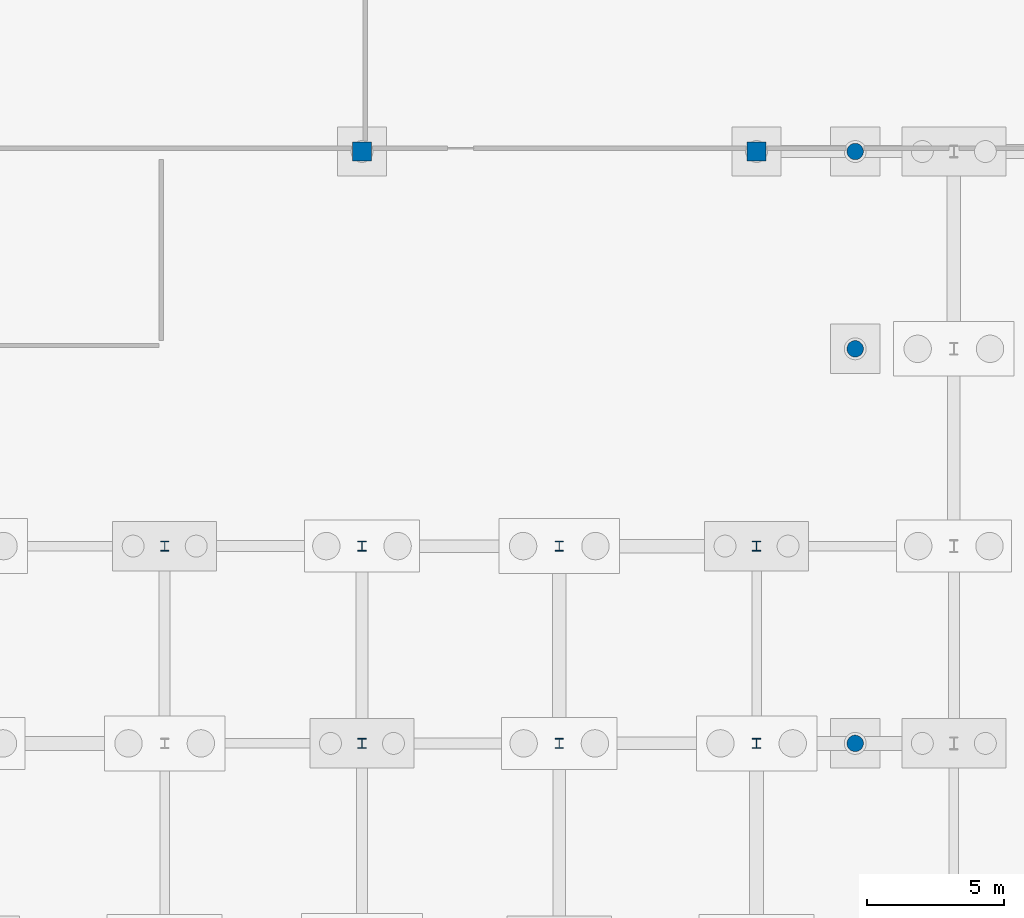
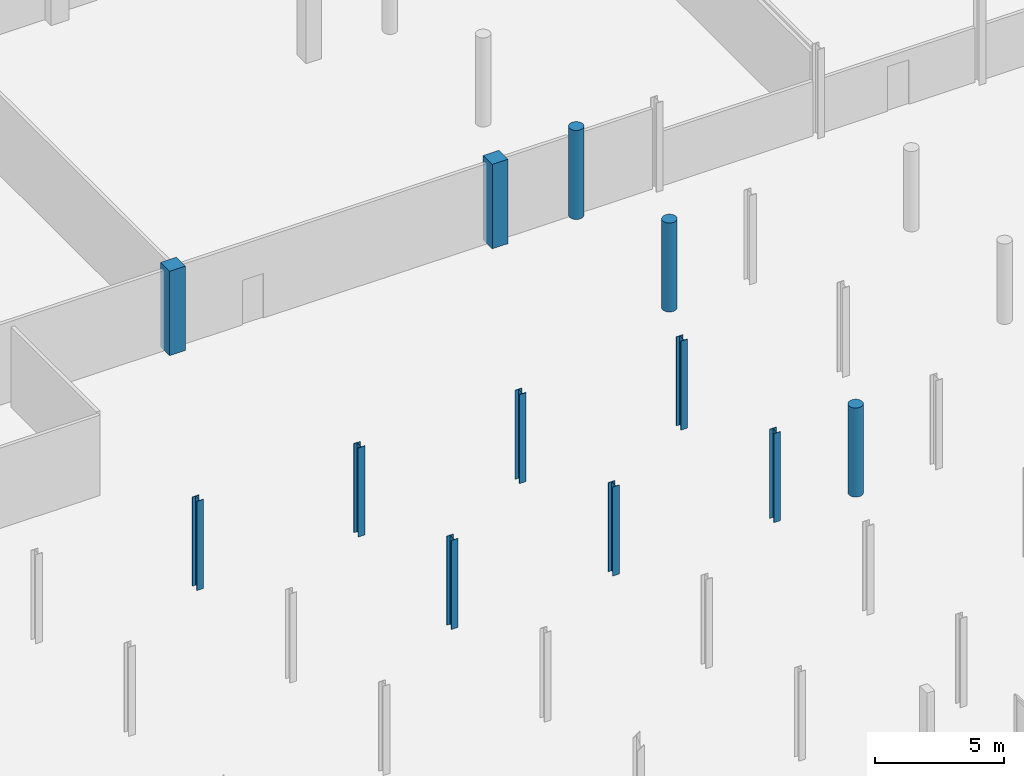
# One storey, part 26 of 56: 12 columns.
"""IFC4 building model written with IfcOpenShell, lengths in metres."""

from ifc_helpers import new_model, si_unit, direction, frame, origin, origin_2d, place, context, subcontext, project, spatial, rectangle, circle, i_section, extrude, material, material_profile, profile_set, type_object, element, save


model = new_model("IFC4")

# Units and contexts
model_context = context("Model", 3, precision=1e-05, world=origin(), true_north=direction((0.0, 1.0)))
body_context = subcontext(model_context, "Body", "Model", "MODEL_VIEW")
ifc_project = project(units=[si_unit("LENGTHUNIT", "METRE"), si_unit("AREAUNIT", "SQUARE_METRE"), si_unit("VOLUMEUNIT", "CUBIC_METRE"), si_unit("PLANEANGLEUNIT", "RADIAN"), si_unit("MASSUNIT", "GRAM", prefix="KILO")], contexts=[model_context])

# Site, building, storey
site_placement = place(None, origin())
site = spatial("IfcSite", under=ifc_project, at=site_placement, CompositionType="ELEMENT")
building_placement = place(site_placement, origin())
building = spatial("IfcBuilding", under=site, at=building_placement, Name="Suanplinth Sawtooth Commons", CompositionType="ELEMENT")
storey_placement = place(building_placement, frame((0.0, 0.0, -4.199951171875)))
storey = spatial("IfcBuildingStorey", under=building, at=storey_placement, Name="B1", CompositionType="ELEMENT", Elevation=-4.199951171875)

# Columns
ifc_material_1 = material(Name="Concrete C40/50", Category="concrete")
ifc_material_profile_1 = material_profile(ifc_material_1, rectangle(XDim=0.699951171875, YDim=0.699951171875, at=origin_2d()), Name="RC-COL 700x700")
ifc_profile_set_1 = profile_set([ifc_material_profile_1], Name="Concrete C40/50")
column_type_1 = type_object("IfcColumnType", Name="C-02", PredefinedType="COLUMN", material=ifc_profile_set_1)
for number, where, z_axis, x_axis, name in (
    (1, (43.199951171875, 86.39990234375, 0.0), (0.0, 0.0, 1.0), (1.0, 0.0, 0.0), "Column B1 7/N"),
    (2, (57.60009765625, 86.39990234375, 0.0), (0.0, 0.0, 1.0), (1.0, 0.0, 0.0), "Column B1 9/N"),
):
    element("IfcColumn", number, at=place(storey_placement, frame(where, z_axis=z_axis, x_axis=x_axis)), inside=storey, type_object=column_type_1, Name=name, PredefinedType="COLUMN", context=body_context, shape_type="SweptSolid", body=[
        extrude(rectangle(XDim=0.699951171875, YDim=0.699951171875, at=origin_2d()), origin(), (0.0, 0.0, 1.0), 3.97998046875),
    ])
ifc_material_profile_2 = material_profile(ifc_material_1, circle(Radius=0.300048828125, at=origin_2d()), Name="RC-CIRC D600")
ifc_profile_set_2 = profile_set([ifc_material_profile_2], Name="Concrete C40/50")
column_type_2 = type_object("IfcColumnType", Name="C-08", PredefinedType="COLUMN", material=ifc_profile_set_2)
for number, where, z_axis, x_axis, name in (
    (3, (61.199951171875, 64.800048828125, 0.0), (0.0, 0.0, 1.0), (1.0, 0.0, 0.0), "West Breezeway Substructure Pier W7"),
    (4, (61.199951171875, 79.199951171875, 0.0), (0.0, 0.0, 1.0), (1.0, 0.0, 0.0), "West Breezeway Substructure Pier W8"),
    (5, (61.199951171875, 86.39990234375, 0.0), (0.0, 0.0, 1.0), (1.0, 0.0, 0.0), "West Breezeway Substructure Pier W9"),
):
    element("IfcColumn", number, at=place(storey_placement, frame(where, z_axis=z_axis, x_axis=x_axis)), inside=storey, type_object=column_type_2, Name=name, PredefinedType="COLUMN", context=body_context, shape_type="SweptSolid", body=[
        extrude(circle(Radius=0.300048828125, at=origin_2d()), origin(), (0.0, 0.0, 1.0), 4.199951171875),
    ])
ifc_material_2 = material(Name="Steel S355JR", Category="steel")
ifc_material_profile_3 = material_profile(ifc_material_2, i_section(OverallWidth=0.300048828125, OverallDepth=0.360107421875, WebThickness=0.012451171875, FlangeThickness=0.0224609375, at=origin_2d()), Name="HEB 360")
ifc_profile_set_3 = profile_set([ifc_material_profile_3], Name="Steel S355JR")
column_type_3 = type_object("IfcColumnType", Name="C-10", PredefinedType="COLUMN", material=ifc_profile_set_3)
for number, where, z_axis, x_axis, name in (
    (6, (36.0, 72.0, 0.0), (0.0, 0.0, 1.0), (1.0, 0.0, 0.0), "Column B1 6/L"),
    (7, (43.199951171875, 64.800048828125, 0.0), (0.0, 0.0, 1.0), (1.0, 0.0, 0.0), "Column B1 7/K"),
    (8, (43.199951171875, 72.0, 0.0), (0.0, 0.0, 1.0), (1.0, 0.0, 0.0), "Column B1 7/L"),
    (9, (50.39990234375, 64.800048828125, 0.0), (0.0, 0.0, 1.0), (1.0, 0.0, 0.0), "Column B1 8/K"),
    (10, (50.39990234375, 72.0, 0.0), (0.0, 0.0, 1.0), (1.0, 0.0, 0.0), "Column B1 8/L"),
    (11, (57.60009765625, 64.800048828125, 0.0), (0.0, 0.0, 1.0), (1.0, 0.0, 0.0), "Column B1 9/K"),
    (12, (57.60009765625, 72.0, 0.0), (0.0, 0.0, 1.0), (1.0, 0.0, 0.0), "Column B1 9/L"),
):
    element("IfcColumn", number, at=place(storey_placement, frame(where, z_axis=z_axis, x_axis=x_axis)), inside=storey, type_object=column_type_3, Name=name, PredefinedType="COLUMN", context=body_context, shape_type="SweptSolid", body=[
        extrude(i_section(OverallWidth=0.300048828125, OverallDepth=0.360107421875, WebThickness=0.012451171875, FlangeThickness=0.0224609375, at=origin_2d()), origin(), (0.0, 0.0, 1.0), 4.199951171875),
    ])

save(model, "model.ifc")
